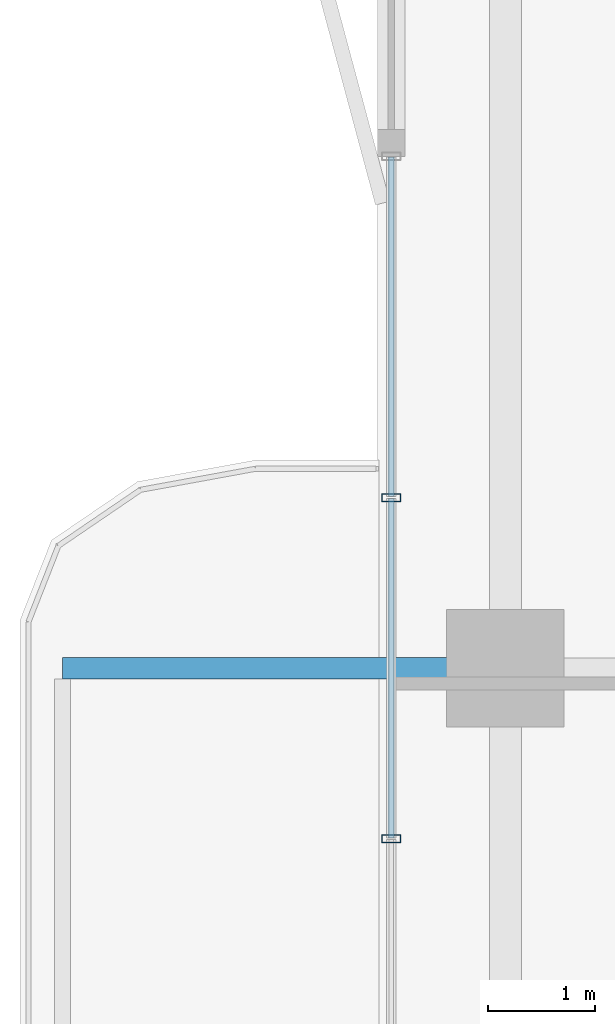
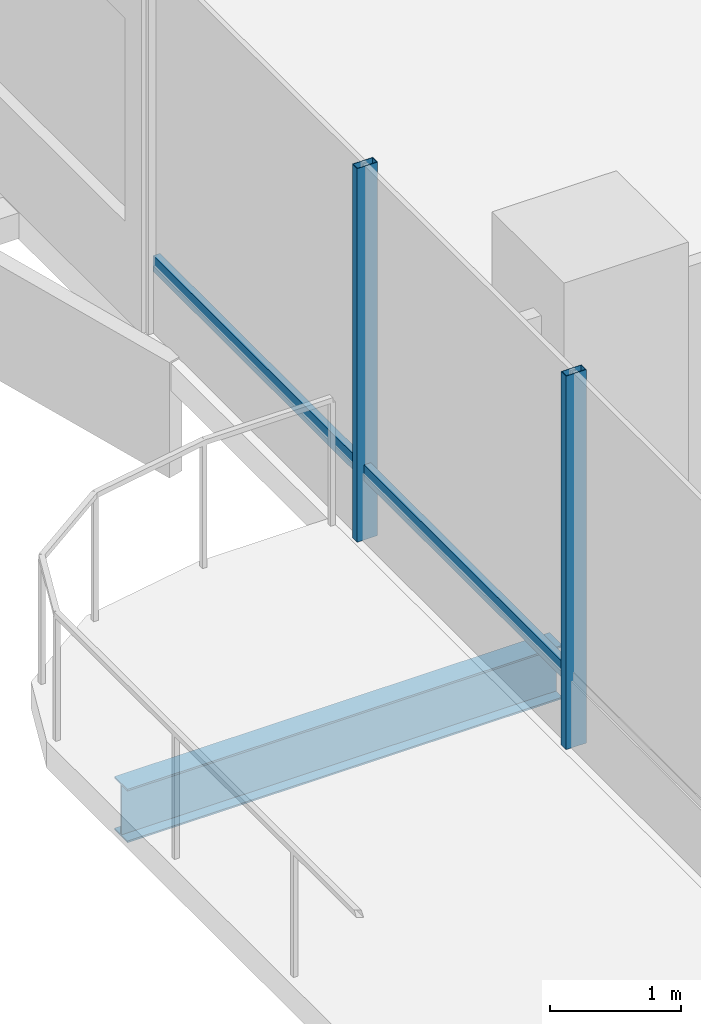
# One storey, part 6 of 25: 4 members, 1 beam, 1 element without a shape of its own.
"""IFC4 building model written with IfcOpenShell, lengths in metres."""

import ifcopenshell
import ifcopenshell.guid

model = None  # the IFC model being written
_history = None  # IfcOwnerHistory: only IFC2X3 demands one
_inside = {}  # id of a spatial element -> (the spatial element, [elements in it])
_under = {}  # id of a project, library or spatial element -> (it, [spatial elements below it])
_declared = {}  # id of a project -> (the project, [libraries it declares])
_typed = {}  # id of a type object -> (the type object, [elements of that type])
_made_of = {}  # id of a material, layer set ... -> (it, [elements and type objects made of it])


def new_model(schema):
    """Start an empty IFC model of exactly this schema.

    Asked for "IFC4X3", IfcOpenShell would pick the latest addendum, in which some entities
    have other attributes; the version numbers below select the first issue.
    IFC2X3 requires an IfcOwnerHistory on every rooted entity: one is made here for all.
    """
    global model, _history
    if schema == "IFC4X3":
        model = ifcopenshell.file(schema_version=(4, 3, 0, 0))
    else:
        model = ifcopenshell.file(schema=schema)
    _inside.clear()
    _under.clear()
    _declared.clear()
    _typed.clear()
    _made_of.clear()
    _history = None
    if model.schema == "IFC2X3":
        org = make("IfcOrganization", Name="unknown")
        user = make(
            "IfcPersonAndOrganization",
            ThePerson=make("IfcPerson", FamilyName="unknown"),
            TheOrganization=org,
        )
        app = make(
            "IfcApplication",
            ApplicationDeveloper=org,
            Version="unknown",
            ApplicationFullName="unknown",
            ApplicationIdentifier="unknown",
        )
        _history = make(
            "IfcOwnerHistory",
            OwningUser=user,
            OwningApplication=app,
            ChangeAction="ADDED",
            CreationDate=0,
        )
    return model


def make(cls, **values):
    """One entity of the class cls with the attributes given. An attribute that is None is left unset."""
    return model.create_entity(
        cls, **{name: value for name, value in values.items() if value is not None}
    )


def rooted(cls, **values):
    """An entity with a GlobalId (a new one), such as an element, a storey or a relation."""
    return make(cls, GlobalId=ifcopenshell.guid.new(), OwnerHistory=_history, **values)


def si_unit(unit_type, name, prefix=None):
    """IfcSIUnit, for example si_unit("LENGTHUNIT", "METRE", prefix="MILLI")."""
    return make("IfcSIUnit", UnitType=unit_type, Prefix=prefix, Name=name)


def assignment(units):
    """IfcUnitAssignment: the units of a project."""
    return None if units is None else make("IfcUnitAssignment", Units=units)


def point(xyz):
    """IfcCartesianPoint."""
    return None if xyz is None else make("IfcCartesianPoint", Coordinates=xyz)


def direction(xyz):
    """IfcDirection."""
    return None if xyz is None else make("IfcDirection", DirectionRatios=xyz)


def frame(location, z_axis=None, x_axis=None):
    """IfcAxis2Placement3D, a coordinate frame: its origin and axes. An axis left out is left unset."""
    return make(
        "IfcAxis2Placement3D",
        Location=point(location),
        Axis=direction(z_axis),
        RefDirection=direction(x_axis),
    )


def frame_2d(location, x_axis=None):
    """IfcAxis2Placement2D, a coordinate frame in the plane: its origin and x axis."""
    return make(
        "IfcAxis2Placement2D", Location=point(location), RefDirection=direction(x_axis)
    )


def origin():
    """The frame at (0, 0, 0) with its axes left unset."""
    return frame((0.0, 0.0, 0.0))


def origin_2d():
    """The frame at (0, 0) in the plane with its x axis left unset."""
    return frame_2d((0.0, 0.0))


def place(relative_to, where):
    """IfcLocalPlacement: puts the frame where relative to a parent placement (None: the world)."""
    return make(
        "IfcLocalPlacement", PlacementRelTo=relative_to, RelativePlacement=where
    )


def context(
    kind, dimensions, precision=None, world=None, true_north=None, identifier=None
):
    """IfcGeometricRepresentationContext, for example the 3D "Model" context."""
    return make(
        "IfcGeometricRepresentationContext",
        ContextIdentifier=identifier,
        ContextType=kind,
        CoordinateSpaceDimension=dimensions,
        Precision=precision,
        WorldCoordinateSystem=world,
        TrueNorth=true_north,
    )


def subcontext(parent, identifier, kind, view, scale=None):
    """IfcGeometricRepresentationSubContext, for example "Body" below "Model"."""
    return make(
        "IfcGeometricRepresentationSubContext",
        ContextIdentifier=identifier,
        ContextType=kind,
        ParentContext=parent,
        TargetScale=scale,
        TargetView=view,
    )


def project(units=None, contexts=None):
    """IfcProject with its units and contexts."""
    return rooted(
        "IfcProject",
        Name="project",
        RepresentationContexts=contexts,
        UnitsInContext=assignment(units),
    )


def spatial(cls, under=None, at=None, **own):
    """A site, building, storey or space (cls), placed at a placement, below another one or the project."""
    s = rooted(cls, ObjectPlacement=at, **own)
    if under is not None:
        _under.setdefault(under.id(), (under, []))[1].append(s)
    return s


def profile(cls, at=None, kind="AREA", **sizes):
    """A parametric profile (cls). Its sizes go by their IFC names, for example OverallWidth=200.0."""
    return make(cls, ProfileType=kind, Position=at, **sizes)


def hollow_rectangle(**sizes):
    """IfcRectangleHollowProfileDef."""
    return profile("IfcRectangleHollowProfileDef", **sizes)


def i_section(**sizes):
    """IfcIShapeProfileDef."""
    return profile("IfcIShapeProfileDef", **sizes)


def extrude(swept, where, along, depth):
    """IfcExtrudedAreaSolid: the profile swept, set in the frame where, extruded along a direction by depth."""
    return make(
        "IfcExtrudedAreaSolid",
        SweptArea=swept,
        Position=where,
        ExtrudedDirection=direction(along),
        Depth=depth,
    )


def shape(context_of_items, identifier, shape_type, items):
    """IfcShapeRepresentation: the items that make up one representation, for example the "Body"."""
    return make(
        "IfcShapeRepresentation",
        ContextOfItems=context_of_items,
        RepresentationIdentifier=identifier,
        RepresentationType=shape_type,
        Items=items,
    )


def material(Name=None, Category=None):
    """IfcMaterial."""
    return make("IfcMaterial", Name=Name, Category=Category)


def layer(
    of_material, thickness, ventilated=None, Name=None, Category=None, Priority=None
):
    """IfcMaterialLayer: one layer of a wall or slab, of a material (None: an air gap)."""
    return make(
        "IfcMaterialLayer",
        Material=of_material,
        LayerThickness=thickness,
        IsVentilated=ventilated,
        Name=Name,
        Category=Category,
        Priority=Priority,
    )


def layer_set(layers, Name=None):
    """IfcMaterialLayerSet."""
    return make("IfcMaterialLayerSet", MaterialLayers=layers, LayerSetName=Name)


def material_profile(
    of_material, cross_section, Name=None, Category=None, Priority=None
):
    """IfcMaterialProfile: a cross section and its material."""
    return make(
        "IfcMaterialProfile",
        Name=Name,
        Material=of_material,
        Profile=cross_section,
        Priority=Priority,
        Category=Category,
    )


def profile_set(profiles, Name=None, composite=None):
    """IfcMaterialProfileSet."""
    return make(
        "IfcMaterialProfileSet",
        Name=Name,
        MaterialProfiles=profiles,
        CompositeProfile=composite,
    )


def made_of(thing, what):
    """Note that an element or type object is made of a material, layer set ...; save() writes the relation."""
    if what is not None:
        _made_of.setdefault(what.id(), (what, []))[1].append(thing)
    return thing


def type_object(cls, material=None, **own):
    """A type object (cls), such as IfcWallType, which elements share."""
    return made_of(rooted(cls, **own), material)


def element(
    cls,
    number,
    at=None,
    inside=None,
    cuts=None,
    type_object=None,
    material=None,
    context=None,
    identifier="Body",
    shape_type=None,
    held_by="IfcProductDefinitionShape",
    body=None,
    shapes=None,
    **own,
):
    """One element of the class cls, such as IfcWall. Its Tag is "e" and its number.

    at: its placement. inside: the storey or other place that contains it. cuts: it is an
    opening in that element (IfcRelVoidsElement). A single representation is given by context,
    identifier, shape_type and body (its items); several are given by shapes. held_by: the class
    of the entity that holds the representations. save() writes the other relations.
    """
    e = rooted(cls, Tag="e%d" % number, ObjectPlacement=at, **own)
    if body is not None:
        shapes = [shape(context, identifier, shape_type, body)]
    if shapes is not None:
        e.Representation = make(held_by, Representations=shapes)
    if inside is not None:
        _inside.setdefault(inside.id(), (inside, []))[1].append(e)
    if cuts is not None:
        rooted(
            "IfcRelVoidsElement", RelatingBuildingElement=cuts, RelatedOpeningElement=e
        )
    if type_object is not None:
        _typed.setdefault(type_object.id(), (type_object, []))[1].append(e)
    return made_of(e, material)


def aggregate(whole, parts):
    """IfcRelAggregates: a whole, such as a stair, and the parts it consists of."""
    return rooted("IfcRelAggregates", RelatingObject=whole, RelatedObjects=parts)


def save(model, path):
    """Write the relations noted so far, then the file.

    IfcRelAggregates (storeys below a building ...), IfcRelContainedInSpatialStructure (elements
    in a storey), IfcRelDefinesByType, IfcRelAssociatesMaterial and IfcRelDeclares: one each for
    every whole, place, type object, material and project.
    """
    for whole, parts in _under.values():
        aggregate(whole, parts)
    for where, things in _inside.values():
        rooted(
            "IfcRelContainedInSpatialStructure",
            RelatedElements=things,
            RelatingStructure=where,
        )
    for kind, things in _typed.values():
        rooted("IfcRelDefinesByType", RelatedObjects=things, RelatingType=kind)
    for what, things in _made_of.values():
        rooted("IfcRelAssociatesMaterial", RelatedObjects=things, RelatingMaterial=what)
    for by, libraries in _declared.values():
        rooted("IfcRelDeclares", RelatingContext=by, RelatedDefinitions=libraries)
    model.write(path)


model = new_model("IFC4")

# Units and contexts
model_context = context("Model", 3, precision=1e-05, world=origin(), true_north=direction((0.0, 1.0)))
body_context = subcontext(model_context, "Body", "Model", "MODEL_VIEW")
ifc_project = project(units=[si_unit("LENGTHUNIT", "METRE"), si_unit("AREAUNIT", "SQUARE_METRE"), si_unit("VOLUMEUNIT", "CUBIC_METRE"), si_unit("PLANEANGLEUNIT", "RADIAN"), si_unit("MASSUNIT", "GRAM", prefix="KILO")], contexts=[model_context])

# Site, building, storey
site_placement = place(None, origin())
site = spatial("IfcSite", under=ifc_project, at=site_placement, CompositionType="ELEMENT")
building_placement = place(site_placement, origin())
building = spatial("IfcBuilding", under=site, at=building_placement, Name="Belovzor Exchange Tower", CompositionType="ELEMENT")
storey_placement = place(building_placement, frame((0.0, 0.0, 142.050048828125)))
storey = spatial("IfcBuildingStorey", under=building, at=storey_placement, Name="L34", CompositionType="ELEMENT", Elevation=142.050048828125)

# Beam
ifc_material_1 = material(Name="Steel S355", Category="steel")
ifc_material_profile_1 = material_profile(ifc_material_1, i_section(OverallWidth=0.199951171875, OverallDepth=0.5, WebThickness=0.01025390625, FlangeThickness=0.01611328125, at=origin_2d()))
ifc_profile_set_1 = profile_set([ifc_material_profile_1], Name="Steel S355")
beam_type = type_object("IfcBeamType", Name="Planted Balcony Cantilever Beam IPE 500", PredefinedType="BEAM", material=ifc_profile_set_1)
beam_placement = place(storey_placement, frame((5.39697265625, 28.800048828125, -0.505126953125), z_axis=(-1.0, 0.0, 0.0), x_axis=(0.0, -1.0, 0.0)))
element("IfcBeam", 1, at=beam_placement, inside=storey, type_object=beam_type, Name="BC-500 Planted Balcony Cantilever Beam IPE 500", PredefinedType="BEAM", context=body_context, shape_type="SweptSolid", body=[
    extrude(i_section(OverallWidth=0.199951171875, OverallDepth=0.5, WebThickness=0.01025390625, FlangeThickness=0.01611328125, at=origin_2d()), origin(), (0.0, 0.0, 1.0), 3.849853515625),
])

# Curtain wall, members
ifc_material_2 = material(Name="Anodised Aluminium Framing", Category="aluminium")
ifc_layer = layer(ifc_material_2, 0.179931640625)
ifc_layer_set = layer_set([ifc_layer], Name="Anodised Aluminium Framing")
curtain_wall_type = type_object("IfcCurtainWallType", Name="Recessed Loggia Low-Iron Triple-Glazed Curtain Wall", PredefinedType="NOTDEFINED", material=ifc_layer_set)
curtain_wall_placement = place(storey_placement, origin())
curtain_wall = element("IfcCurtainWall", 2, at=curtain_wall_placement, inside=storey, type_object=curtain_wall_type, Name="CW3 Recessed Loggia Low-Iron Triple-Glazed Curtain Wall L34", PredefinedType="NOTDEFINED")
ifc_material_3 = material(Name="Steel S355", Category="steel")
ifc_material_profile_2 = material_profile(ifc_material_3, hollow_rectangle(XDim=0.074951171875, YDim=0.179931640625, WallThickness=0.0048828125, at=origin_2d()))
ifc_profile_set_2 = profile_set([ifc_material_profile_2], Name="Steel S355")
member_type_1 = type_object("IfcMemberType", Name="Thermally Broken Curtain Wall Mullion 180x75", PredefinedType="MULLION", material=ifc_profile_set_2)
member_1_placement = place(storey_placement, frame((4.6298828125, 27.199951171875, 0.0), z_axis=(0.0, 0.0, 1.0), x_axis=(0.0, 1.0, 0.0)))
member_1 = element("IfcMember", 3, at=member_1_placement, type_object=member_type_1, Name="CW-M180 Curtain Wall Mullion 2", PredefinedType="MULLION", context=body_context, shape_type="SweptSolid", body=[
    extrude(hollow_rectangle(XDim=0.074951171875, YDim=0.179931640625, WallThickness=0.0048828125, at=origin_2d()), origin(), (0.0, 0.0, 1.0), 3.494873046875),
])
member_2_placement = place(storey_placement, frame((4.6298828125, 30.39990234375, 0.0), z_axis=(0.0, 0.0, 1.0), x_axis=(0.0, 1.0, 0.0)))
member_2 = element("IfcMember", 4, at=member_2_placement, type_object=member_type_1, Name="CW-M180 Curtain Wall Mullion 3", PredefinedType="MULLION", context=body_context, shape_type="SweptSolid", body=[
    extrude(hollow_rectangle(XDim=0.074951171875, YDim=0.179931640625, WallThickness=0.0048828125, at=origin_2d()), origin(), (0.0, 0.0, 1.0), 3.494873046875),
])
ifc_material_4 = material(Name="Steel S355", Category="steel")
ifc_material_profile_3 = material_profile(ifc_material_4, hollow_rectangle(XDim=0.06005859375, YDim=0.14990234375, WallThickness=0.00390625, at=origin_2d()))
ifc_profile_set_3 = profile_set([ifc_material_profile_3], Name="Steel S355")
member_type_2 = type_object("IfcMemberType", Name="Thermally Broken Curtain Wall Transom 150x60", PredefinedType="USERDEFINED", material=ifc_profile_set_3)
member_3_placement = place(storey_placement, frame((4.6298828125, 27.2080078125, 0.62890625), z_axis=(0.0, 1.0, 0.0), x_axis=(-1.0, 0.0, 0.0)))
member_3 = element("IfcMember", 5, at=member_3_placement, type_object=member_type_2, Name="CW-T150 Curtain Wall Transom 2", ObjectType="TRANSOM", PredefinedType="USERDEFINED", context=body_context, shape_type="SweptSolid", body=[
    extrude(hollow_rectangle(XDim=0.06005859375, YDim=0.14990234375, WallThickness=0.00390625, at=origin_2d()), origin(), (0.0, 0.0, 1.0), 3.18408203125),
])
member_4_placement = place(storey_placement, frame((4.6298828125, 30.407958984375, 0.62890625), z_axis=(0.0, 1.0, 0.0), x_axis=(-1.0, 0.0, 0.0)))
member_4 = element("IfcMember", 6, at=member_4_placement, type_object=member_type_2, Name="CW-T150 Curtain Wall Transom 3", ObjectType="TRANSOM", PredefinedType="USERDEFINED", context=body_context, shape_type="SweptSolid", body=[
    extrude(hollow_rectangle(XDim=0.06005859375, YDim=0.14990234375, WallThickness=0.00390625, at=origin_2d()), origin(), (0.0, 0.0, 1.0), 3.18408203125),
])
aggregate(curtain_wall, [member_1, member_2, member_3, member_4])

save(model, "model.ifc")
